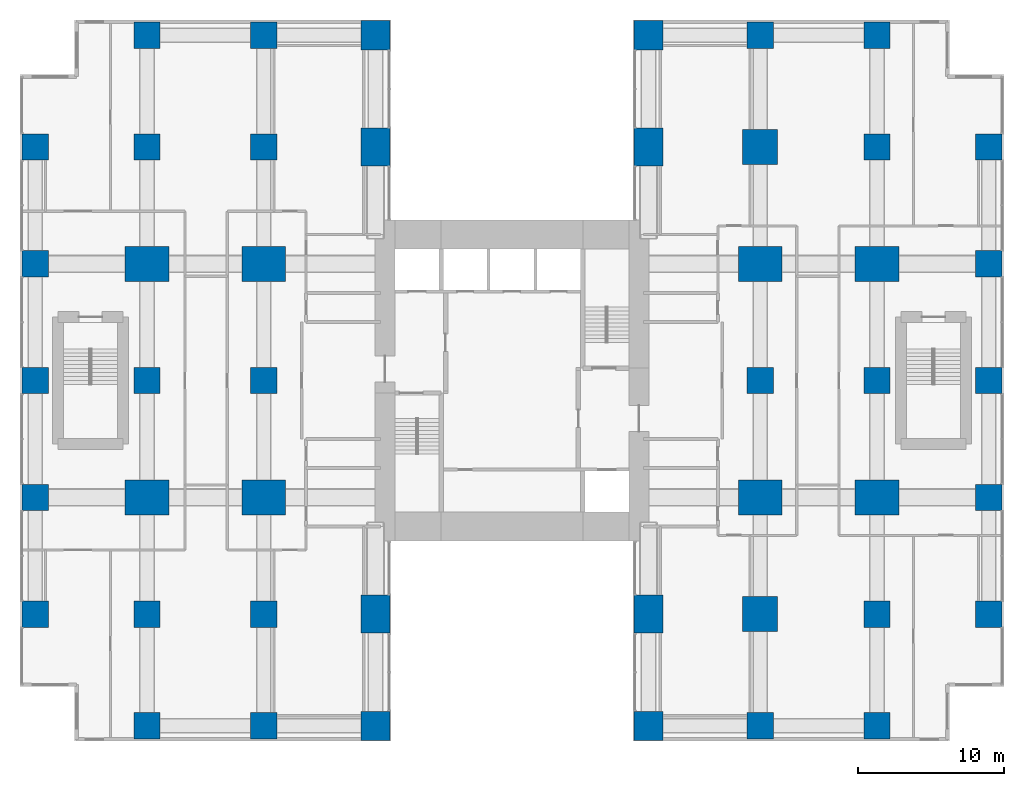
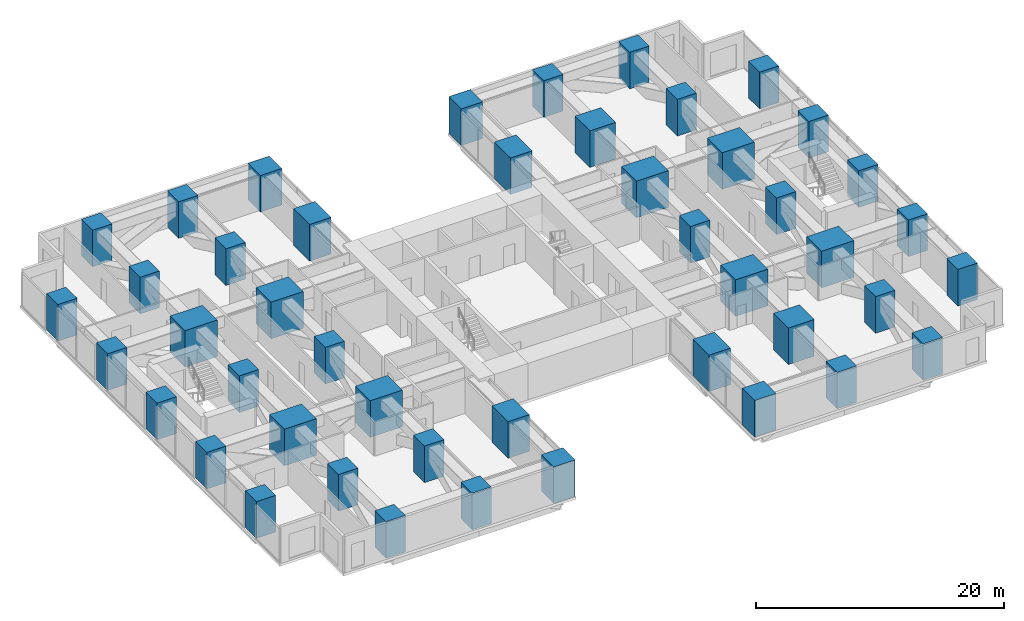
# One storey, part 1 of 14: 46 columns.
"""IFC4 building model written with IfcOpenShell, lengths in metres."""

from ifc_helpers import new_model, si_unit, direction, frame, origin, origin_2d, place, context, subcontext, project, spatial, rectangle, extrude, material, material_profile, profile_set, type_object, element, save


model = new_model("IFC4")

# Units and contexts
model_context = context("Model", 3, precision=1e-05, world=origin(), true_north=direction((0.0, 1.0)))
body_context = subcontext(model_context, "Body", "Model", "MODEL_VIEW")
ifc_project = project(units=[si_unit("LENGTHUNIT", "METRE"), si_unit("AREAUNIT", "SQUARE_METRE"), si_unit("VOLUMEUNIT", "CUBIC_METRE"), si_unit("PLANEANGLEUNIT", "RADIAN"), si_unit("MASSUNIT", "GRAM", prefix="KILO")], contexts=[model_context])

# Site, building, storey
site_placement = place(None, origin())
site = spatial("IfcSite", under=ifc_project, at=site_placement, CompositionType="ELEMENT")
building_placement = place(site_placement, origin())
building = spatial("IfcBuilding", under=site, at=building_placement, Name="Cleftline Residences", CompositionType="ELEMENT")
storey_placement = place(building_placement, frame((0.0, 0.0, 200.199951171875)))
storey = spatial("IfcBuildingStorey", under=building, at=storey_placement, Name="L52", CompositionType="ELEMENT", Elevation=200.199951171875)

# Columns
ifc_material_1 = material(Name="Concrete B70", Category="concrete")
ifc_material_profile_1 = material_profile(ifc_material_1, rectangle(XDim=1.800048828125, YDim=1.800048828125, at=origin_2d()))
ifc_profile_set_1 = profile_set([ifc_material_profile_1], Name="Concrete B70")
column_type_1 = type_object("IfcColumnType", Name="COLUMN RC1800X1800", PredefinedType="COLUMN", material=ifc_profile_set_1)
for number, where, z_axis, x_axis, name in (
    (1, (0.35009765625, 8.0, 0.0), (0.0, 0.0, 1.0), (1.0, 0.0, 0.0), "Column D/3"),
    (2, (0.35009765625, 16.0, 0.0), (0.0, 0.0, 1.0), (1.0, 0.0, 0.0), "Column E/3"),
    (3, (0.35009765625, 24.0, 0.0), (0.0, 0.0, 1.0), (1.0, 0.0, 0.0), "Column F/3"),
    (4, (0.35009765625, 32.0, 0.0), (0.0, 0.0, 1.0), (1.0, 0.0, 0.0), "Column G/3"),
    (5, (0.35009765625, 40.0, 0.0), (0.0, 0.0, 1.0), (1.0, 0.0, 0.0), "Column H/3"),
    (6, (8.0, 0.35009765625, 0.0), (0.0, 0.0, 1.0), (1.0, 0.0, 0.0), "Column C/4"),
    (7, (8.0, 8.0, 0.0), (0.0, 0.0, 1.0), (1.0, 0.0, 0.0), "Column D/4"),
    (8, (8.0, 24.0, 0.0), (0.0, 0.0, 1.0), (1.0, 0.0, 0.0), "Column F/4"),
    (9, (8.0, 40.0, 0.0), (0.0, 0.0, 1.0), (1.0, 0.0, 0.0), "Column H/4"),
    (10, (8.0, 47.64990234375, 0.0), (0.0, 0.0, 1.0), (1.0, 0.0, 0.0), "Column J/4"),
    (11, (16.0, 0.35009765625, 0.0), (0.0, 0.0, 1.0), (1.0, 0.0, 0.0), "Column C/5"),
    (12, (16.0, 8.0, 0.0), (0.0, 0.0, 1.0), (1.0, 0.0, 0.0), "Column D/5"),
    (13, (16.0, 24.0, 0.0), (0.0, 0.0, 1.0), (1.0, 0.0, 0.0), "Column F/5"),
    (14, (16.0, 40.0, 0.0), (0.0, 0.0, 1.0), (1.0, 0.0, 0.0), "Column H/5"),
    (15, (16.0, 47.64990234375, 0.0), (0.0, 0.0, 1.0), (1.0, 0.0, 0.0), "Column J/5"),
    (16, (50.0, 0.35009765625, 0.0), (0.0, 0.0, 1.0), (1.0, 0.0, 0.0), "Column C/9"),
    (17, (50.0, 24.0, 0.0), (0.0, 0.0, 1.0), (1.0, 0.0, 0.0), "Column F/9"),
    (18, (50.0, 47.64990234375, 0.0), (0.0, 0.0, 1.0), (1.0, 0.0, 0.0), "Column J/9"),
    (19, (58.0, 0.35009765625, 0.0), (0.0, 0.0, 1.0), (1.0, 0.0, 0.0), "Column C/10"),
    (20, (58.0, 8.0, 0.0), (0.0, 0.0, 1.0), (1.0, 0.0, 0.0), "Column D/10"),
    (21, (58.0, 24.0, 0.0), (0.0, 0.0, 1.0), (1.0, 0.0, 0.0), "Column F/10"),
    (22, (58.0, 40.0, 0.0), (0.0, 0.0, 1.0), (1.0, 0.0, 0.0), "Column H/10"),
    (23, (58.0, 47.64990234375, 0.0), (0.0, 0.0, 1.0), (1.0, 0.0, 0.0), "Column J/10"),
    (24, (65.64990234375, 8.0, 0.0), (0.0, 0.0, 1.0), (1.0, 0.0, 0.0), "Column D/11"),
    (25, (65.64990234375, 16.0, 0.0), (0.0, 0.0, 1.0), (1.0, 0.0, 0.0), "Column E/11"),
    (26, (65.64990234375, 24.0, 0.0), (0.0, 0.0, 1.0), (1.0, 0.0, 0.0), "Column F/11"),
    (27, (65.64990234375, 32.0, 0.0), (0.0, 0.0, 1.0), (1.0, 0.0, 0.0), "Column G/11"),
    (28, (65.64990234375, 40.0, 0.0), (0.0, 0.0, 1.0), (1.0, 0.0, 0.0), "Column H/11"),
):
    element("IfcColumn", number, at=place(storey_placement, frame(where, z_axis=z_axis, x_axis=x_axis)), inside=storey, type_object=column_type_1, Name=name, PredefinedType="COLUMN", context=body_context, shape_type="SweptSolid", body=[
        extrude(rectangle(XDim=1.800048828125, YDim=1.800048828125, at=origin_2d()), origin(), (0.0, 0.0, 1.0), 3.60009765625),
    ])
ifc_material_2 = material(Name="Concrete B70", Category="concrete")
ifc_material_profile_2 = material_profile(ifc_material_2, rectangle(XDim=2.0, YDim=2.0, at=origin_2d()))
ifc_profile_set_2 = profile_set([ifc_material_profile_2], Name="Concrete B70")
column_type_2 = type_object("IfcColumnType", Name="COLUMN RC2000X2000", PredefinedType="COLUMN", material=ifc_profile_set_2)
for number, where, z_axis, x_axis, name in (
    (29, (23.64990234375, 0.35009765625, 0.0), (0.0, 0.0, 1.0), (1.0, 0.0, 0.0), "Column C/6"),
    (30, (23.64990234375, 47.64990234375, 0.0), (0.0, 0.0, 1.0), (1.0, 0.0, 0.0), "Column J/6"),
    (31, (42.35009765625, 0.35009765625, 0.0), (0.0, 0.0, 1.0), (1.0, 0.0, 0.0), "Column C/8"),
    (32, (42.35009765625, 47.64990234375, 0.0), (0.0, 0.0, 1.0), (1.0, 0.0, 0.0), "Column J/8"),
):
    element("IfcColumn", number, at=place(storey_placement, frame(where, z_axis=z_axis, x_axis=x_axis)), inside=storey, type_object=column_type_2, Name=name, PredefinedType="COLUMN", context=body_context, shape_type="SweptSolid", body=[
        extrude(rectangle(XDim=2.0, YDim=2.0, at=origin_2d()), origin(), (0.0, 0.0, 1.0), 3.60009765625),
    ])
ifc_material_3 = material(Name="Concrete B70", Category="concrete")
ifc_material_profile_3 = material_profile(ifc_material_3, rectangle(XDim=2.0, YDim=2.60009765625, at=origin_2d()))
ifc_profile_set_3 = profile_set([ifc_material_profile_3], Name="Concrete B70")
column_type_3 = type_object("IfcColumnType", Name="COLUMN RC2000X2600", PredefinedType="COLUMN", material=ifc_profile_set_3)
for number, where, z_axis, x_axis, name in (
    (33, (23.64990234375, 8.0, 0.0), (0.0, 0.0, 1.0), (1.0, 0.0, 0.0), "Column D/6"),
    (34, (23.64990234375, 40.0, 0.0), (0.0, 0.0, 1.0), (1.0, 0.0, 0.0), "Column H/6"),
    (35, (42.35009765625, 8.0, 0.0), (0.0, 0.0, 1.0), (1.0, 0.0, 0.0), "Column D/8"),
    (36, (42.35009765625, 40.0, 0.0), (0.0, 0.0, 1.0), (1.0, 0.0, 0.0), "Column H/8"),
):
    element("IfcColumn", number, at=place(storey_placement, frame(where, z_axis=z_axis, x_axis=x_axis)), inside=storey, type_object=column_type_3, Name=name, PredefinedType="COLUMN", context=body_context, shape_type="SweptSolid", body=[
        extrude(rectangle(XDim=2.0, YDim=2.60009765625, at=origin_2d()), origin(), (0.0, 0.0, 1.0), 3.60009765625),
    ])
ifc_material_4 = material(Name="Concrete B70", Category="concrete")
ifc_material_profile_4 = material_profile(ifc_material_4, rectangle(XDim=2.39990234375, YDim=2.39990234375, at=origin_2d()))
ifc_profile_set_4 = profile_set([ifc_material_profile_4], Name="Concrete B70")
column_type_4 = type_object("IfcColumnType", Name="COLUMN RC2400X2400", PredefinedType="COLUMN", material=ifc_profile_set_4)
for number, where, z_axis, x_axis, name in (
    (37, (50.0, 8.0, 0.0), (0.0, 0.0, 1.0), (1.0, 0.0, 0.0), "Column D/9"),
    (38, (50.0, 40.0, 0.0), (0.0, 0.0, 1.0), (1.0, 0.0, 0.0), "Column H/9"),
):
    element("IfcColumn", number, at=place(storey_placement, frame(where, z_axis=z_axis, x_axis=x_axis)), inside=storey, type_object=column_type_4, Name=name, PredefinedType="COLUMN", context=body_context, shape_type="SweptSolid", body=[
        extrude(rectangle(XDim=2.39990234375, YDim=2.39990234375, at=origin_2d()), origin(), (0.0, 0.0, 1.0), 3.60009765625),
    ])
ifc_material_5 = material(Name="Concrete B70", Category="concrete")
ifc_material_profile_5 = material_profile(ifc_material_5, rectangle(XDim=3.0, YDim=2.39990234375, at=origin_2d()))
ifc_profile_set_5 = profile_set([ifc_material_profile_5], Name="Concrete B70")
column_type_5 = type_object("IfcColumnType", Name="COLUMN RC3000X2400", PredefinedType="COLUMN", material=ifc_profile_set_5)
for number, where, z_axis, x_axis, name in (
    (39, (8.0, 16.0, 0.0), (0.0, 0.0, 1.0), (1.0, 0.0, 0.0), "Column E/4"),
    (40, (8.0, 32.0, 0.0), (0.0, 0.0, 1.0), (1.0, 0.0, 0.0), "Column G/4"),
    (41, (16.0, 16.0, 0.0), (0.0, 0.0, 1.0), (1.0, 0.0, 0.0), "Column E/5"),
    (42, (16.0, 32.0, 0.0), (0.0, 0.0, 1.0), (1.0, 0.0, 0.0), "Column G/5"),
    (43, (50.0, 16.0, 0.0), (0.0, 0.0, 1.0), (1.0, 0.0, 0.0), "Column E/9"),
    (44, (50.0, 32.0, 0.0), (0.0, 0.0, 1.0), (1.0, 0.0, 0.0), "Column G/9"),
    (45, (58.0, 16.0, 0.0), (0.0, 0.0, 1.0), (1.0, 0.0, 0.0), "Column E/10"),
    (46, (58.0, 32.0, 0.0), (0.0, 0.0, 1.0), (1.0, 0.0, 0.0), "Column G/10"),
):
    element("IfcColumn", number, at=place(storey_placement, frame(where, z_axis=z_axis, x_axis=x_axis)), inside=storey, type_object=column_type_5, Name=name, PredefinedType="COLUMN", context=body_context, shape_type="SweptSolid", body=[
        extrude(rectangle(XDim=3.0, YDim=2.39990234375, at=origin_2d()), origin(), (0.0, 0.0, 1.0), 3.60009765625),
    ])

save(model, "model.ifc")
